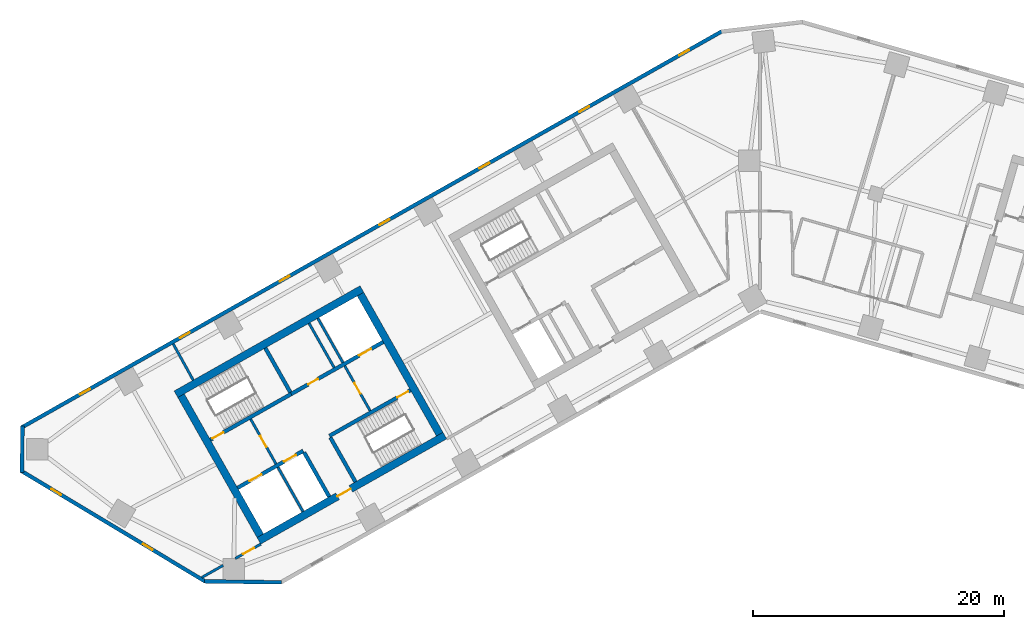
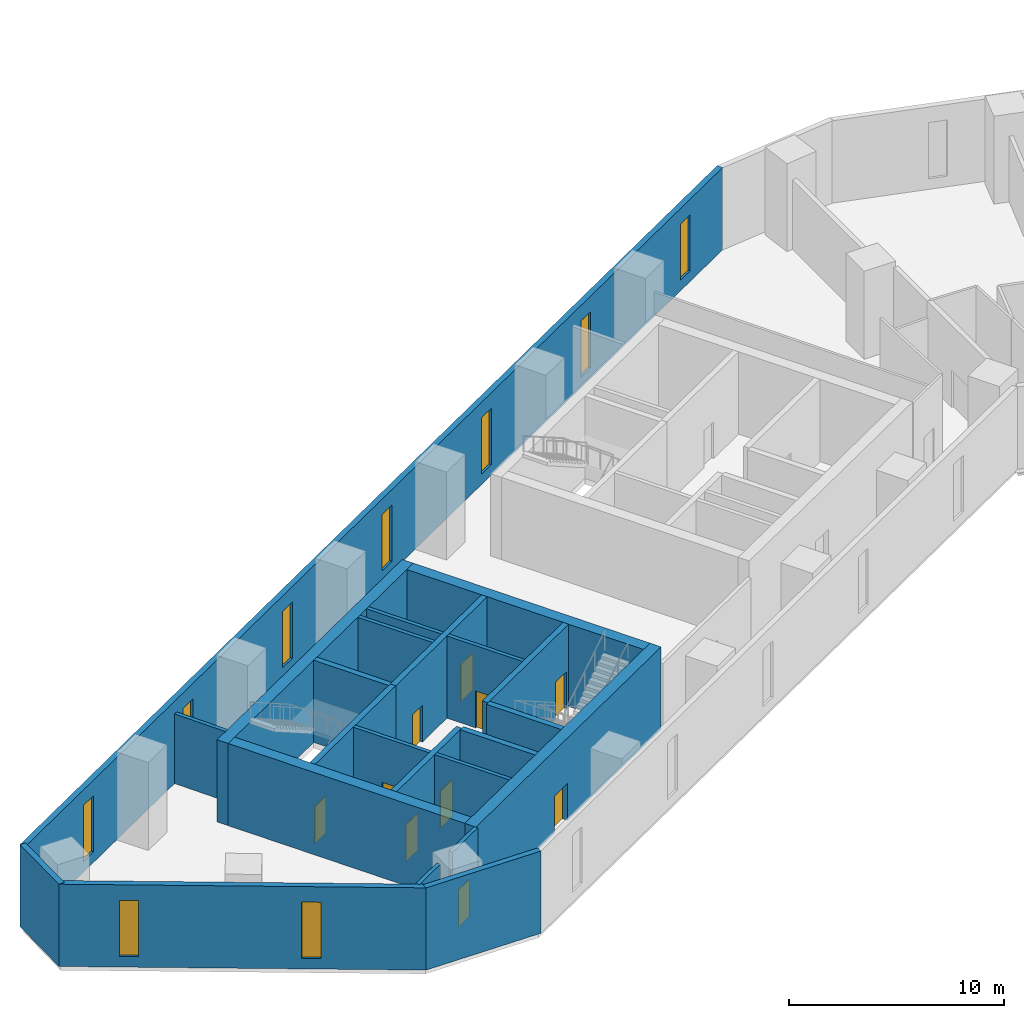
# One storey, part 3 of 10: 23 walls, 10 doors, 9 windows, 19 openings.
"""IFC4 building model written with IfcOpenShell, lengths in metres."""

from ifc_helpers import new_model, si_unit, direction, frame, frame_2d, origin, place, context, subcontext, project, spatial, rectangle, extrude, material, layer, layer_set, type_object, element, fill, save


model = new_model("IFC4")

# Units and contexts
model_context = context("Model", 3, precision=1e-05, world=origin(), true_north=direction((0.0, 1.0)))
body_context = subcontext(model_context, "Body", "Model", "MODEL_VIEW")
ifc_project = project(units=[si_unit("LENGTHUNIT", "METRE"), si_unit("AREAUNIT", "SQUARE_METRE"), si_unit("VOLUMEUNIT", "CUBIC_METRE"), si_unit("PLANEANGLEUNIT", "RADIAN"), si_unit("MASSUNIT", "GRAM", prefix="KILO")], contexts=[model_context])

# Site, building, storey
site_placement = place(None, origin())
site = spatial("IfcSite", under=ifc_project, at=site_placement, CompositionType="ELEMENT")
building_placement = place(site_placement, origin())
building = spatial("IfcBuilding", under=site, at=building_placement, Name="Binnacle Exchange Tower", CompositionType="ELEMENT")
storey_placement = place(building_placement, frame((0.0, 0.0, 41.5)))
storey = spatial("IfcBuildingStorey", under=building, at=storey_placement, Name="L08", CompositionType="ELEMENT", Elevation=41.5)

# Wall, openings, doors
ifc_material_1 = material(Name="Concrete C70/85", Category="concrete")
ifc_layer_1 = layer(ifc_material_1, 0.300048828125)
ifc_layer_set_1 = layer_set([ifc_layer_1], Name="Core wall - front 300")
wall_type_1 = type_object("IfcWallType", Name="Core wall - front 300", PredefinedType="SOLIDWALL", material=ifc_layer_set_1)
wall_1_placement = place(storey_placement, frame((-41.555908203125, 33.9609375, 0.0), z_axis=(0.0, 0.0, 1.0), x_axis=(0.870343731308, 0.492444706919, 0.0)))
wall_1 = element("IfcWall", 1, at=wall_1_placement, inside=storey, type_object=wall_type_1, Name="Core wall CRWA2", PredefinedType="SOLIDWALL", context=body_context, shape_type="SweptSolid", body=[
    extrude(rectangle(XDim=5.999755859375, YDim=0.300048828125, at=frame_2d((3.0, 0.0))), origin(), (0.0, 0.0, 1.0), 4.679931640625),
])
opening_1_placement = place(wall_1_placement, frame((1.099853515625, 0.0, 0.0)))
opening_1 = element("IfcOpeningElement", 2, at=opening_1_placement, cuts=wall_1, Name="Opening LD12", PredefinedType="OPENING", context=body_context, shape_type="SweptSolid", body=[
    extrude(rectangle(XDim=1.10009765625, YDim=2.10009765625, at=frame_2d((0.550048828125, 1.050048828125))), frame((0.0, 0.159912109375, 0.0), z_axis=(0.0, -1.0, 0.0), x_axis=(1.0, 0.0, 0.0)), (0.0, 0.0, 1.0), 0.320068359375),
])
opening_2_placement = place(wall_1_placement, frame((4.25, 0.0, 0.0)))
opening_2 = element("IfcOpeningElement", 3, at=opening_2_placement, cuts=wall_1, Name="Opening LD8", PredefinedType="OPENING", context=body_context, shape_type="SweptSolid", body=[
    extrude(rectangle(XDim=1.10009765625, YDim=2.10009765625, at=frame_2d((0.550048828125, 1.050048828125))), frame((0.0, 0.159912109375, 0.0), z_axis=(0.0, -1.0, 0.0), x_axis=(1.0, 0.0, 0.0)), (0.0, 0.0, 1.0), 0.320068359375),
])
ifc_material_2 = material(Name="Steel door leaf", Category="steel")
door_type_1 = type_object("IfcDoorType", Name="Fire door - lift landing 1100", OperationType="NOTDEFINED", PredefinedType="DOOR", material=ifc_material_2)
door_1_placement = place(opening_1_placement, origin())
door_1 = element("IfcDoor", 4, at=door_1_placement, inside=storey, type_object=door_type_1, Name="Landing door LD12 L08", OperationType="DOUBLE_DOOR_SLIDING", OverallHeight=2.10009765625, OverallWidth=1.10009765625, PredefinedType="DOOR", context=body_context, shape_type="SweptSolid", body=[
    extrude(rectangle(XDim=1.10009765625, YDim=2.10009765625, at=frame_2d((0.550048828125, 1.050048828125))), frame((0.0, 0.02490234375, 0.0), z_axis=(0.0, -1.0, 0.0), x_axis=(1.0, 0.0, 0.0)), (0.0, 0.0, 1.0), 0.050048828125),
])
fill(opening_1, door_1)
door_2_placement = place(opening_2_placement, origin())
door_2 = element("IfcDoor", 5, at=door_2_placement, inside=storey, type_object=door_type_1, Name="Landing door LD8 L08", OperationType="DOUBLE_DOOR_SLIDING", OverallHeight=2.10009765625, OverallWidth=1.10009765625, PredefinedType="DOOR", context=body_context, shape_type="SweptSolid", body=[
    extrude(rectangle(XDim=1.10009765625, YDim=2.10009765625, at=frame_2d((0.550048828125, 1.050048828125))), frame((0.0, 0.02490234375, 0.0), z_axis=(0.0, -1.0, 0.0), x_axis=(1.0, 0.0, 0.0)), (0.0, 0.0, 1.0), 0.050048828125),
])
fill(opening_2, door_2)

wall_2_placement = place(storey_placement, frame((-37.281982421875, 41.4345703125, 0.0), z_axis=(0.0, 0.0, 1.0), x_axis=(0.870356516133, 0.492422110414, 0.0)))
wall_2 = element("IfcWall", 6, at=wall_2_placement, inside=storey, type_object=wall_type_1, Name="Core wall CRWA5", PredefinedType="SOLIDWALL", context=body_context, shape_type="SweptSolid", body=[
    extrude(rectangle(XDim=8.399658203125, YDim=0.300048828125, at=frame_2d((4.19970703125, 0.0))), origin(), (0.0, 0.0, 1.0), 4.679931640625),
])
opening_3_placement = place(wall_2_placement, frame((6.199951171875, 0.0, 0.0)))
opening_3 = element("IfcOpeningElement", 7, at=opening_3_placement, cuts=wall_2, Name="Opening LD13", PredefinedType="OPENING", context=body_context, shape_type="SweptSolid", body=[
    extrude(rectangle(XDim=1.10009765625, YDim=2.10009765625, at=frame_2d((0.550048828125, 1.050048828125))), frame((0.0, 0.159912109375, 0.0), z_axis=(0.0, -1.0, 0.0), x_axis=(1.0, 0.0, 0.0)), (0.0, 0.0, 1.0), 0.320068359375),
])
opening_4_placement = place(wall_2_placement, frame((1.550048828125, 0.0, 0.0)))
opening_4 = element("IfcOpeningElement", 8, at=opening_4_placement, cuts=wall_2, Name="Opening DA10", PredefinedType="OPENING", context=body_context, shape_type="SweptSolid", body=[
    extrude(rectangle(XDim=0.89990234375, YDim=2.10009765625, at=frame_2d((0.449951171875, 1.050048828125))), frame((0.0, 0.159912109375, 0.0), z_axis=(0.0, -1.0, 0.0), x_axis=(1.0, 0.0, 0.0)), (0.0, 0.0, 1.0), 0.320068359375),
])
door_3_placement = place(opening_3_placement, origin())
door_3 = element("IfcDoor", 9, at=door_3_placement, inside=storey, type_object=door_type_1, Name="Landing door LD13 L08", OperationType="DOUBLE_DOOR_SLIDING", OverallHeight=2.10009765625, OverallWidth=1.10009765625, PredefinedType="DOOR", context=body_context, shape_type="SweptSolid", body=[
    extrude(rectangle(XDim=1.10009765625, YDim=2.10009765625, at=frame_2d((0.550048828125, 1.050048828125))), frame((0.0, 0.02490234375, 0.0), z_axis=(0.0, -1.0, 0.0), x_axis=(1.0, 0.0, 0.0)), (0.0, 0.0, 1.0), 0.050048828125),
])
fill(opening_3, door_3)
door_type_2 = type_object("IfcDoorType", Name="Fire door 900", OperationType="NOTDEFINED", PredefinedType="DOOR", material=ifc_material_2)
door_4_placement = place(opening_4_placement, origin())
door_4 = element("IfcDoor", 10, at=door_4_placement, inside=storey, type_object=door_type_2, Name="Core room door PANTRY", OperationType="SINGLE_SWING_LEFT", OverallHeight=2.10009765625, OverallWidth=0.89990234375, PredefinedType="DOOR", context=body_context, shape_type="SweptSolid", body=[
    extrude(rectangle(XDim=0.89990234375, YDim=2.10009765625, at=frame_2d((0.449951171875, 1.050048828125))), frame((0.0, 0.02490234375, 0.0), z_axis=(0.0, -1.0, 0.0), x_axis=(1.0, 0.0, 0.0)), (0.0, 0.0, 1.0), 0.050048828125),
])
fill(opening_4, door_4)

# Wall
wall_3_placement = place(storey_placement, frame((-36.260009765625, 36.784912109375, 0.0), z_axis=(0.0, 0.0, 1.0), x_axis=(0.492440575896, -0.870346068648, 0.0)))
element("IfcWall", 11, at=wall_3_placement, inside=storey, type_object=wall_type_1, Name="Core wall CRWA13", PredefinedType="SOLIDWALL", context=body_context, shape_type="SweptSolid", body=[
    extrude(rectangle(XDim=4.050048828125, YDim=0.300048828125, at=frame_2d((2.02490234375, 0.0))), origin(), (0.0, 0.0, 1.0), 4.679931640625),
])

# Wall, opening, door
ifc_layer_2 = layer(ifc_material_1, 0.60009765625)
ifc_layer_set_2 = layer_set([ifc_layer_2], Name="Core wall - outer 600")
wall_type_2 = type_object("IfcWallType", Name="Core wall - outer 600", PredefinedType="SOLIDWALL", material=ifc_layer_set_2)
wall_4_placement = place(storey_placement, frame((-39.8623046875, 29.748779296875, 0.0), z_axis=(0.0, 0.0, 1.0), x_axis=(0.870350116061, 0.492433422375, 0.0)))
wall_4 = element("IfcWall", 12, at=wall_4_placement, inside=storey, type_object=wall_type_2, Name="Core wall CRWA1", PredefinedType="SOLIDWALL", context=body_context, shape_type="SweptSolid", body=[
    extrude(rectangle(XDim=17.0, YDim=0.60009765625, at=frame_2d((8.5, 0.0))), origin(), (0.0, 0.0, 1.0), 4.679931640625),
])
opening_5_placement = place(wall_4_placement, frame((7.199951171875, 0.0, 0.0)))
opening_5 = element("IfcOpeningElement", 13, at=opening_5_placement, cuts=wall_4, Name="Opening DA7", PredefinedType="OPENING", context=body_context, shape_type="SweptSolid", body=[
    extrude(rectangle(XDim=1.199951171875, YDim=2.10009765625, at=frame_2d((0.60009765625, 1.050048828125))), frame((0.0, 0.31005859375, 0.0), z_axis=(0.0, -1.0, 0.0), x_axis=(1.0, 0.0, 0.0)), (0.0, 0.0, 1.0), 0.6201171875),
])
door_type_3 = type_object("IfcDoorType", Name="Fire door 1200", OperationType="NOTDEFINED", PredefinedType="DOOR", material=ifc_material_2)
door_5_placement = place(opening_5_placement, frame((1.199951171875, 0.0, 0.0), z_axis=(0.0, 0.0, 1.0), x_axis=(-1.0, 0.0, 0.0)))
door_5 = element("IfcDoor", 14, at=door_5_placement, inside=storey, type_object=door_type_3, Name="Lift lobby entrance door core A", OperationType="SINGLE_SWING_RIGHT", OverallHeight=2.10009765625, OverallWidth=1.199951171875, PredefinedType="DOOR", context=body_context, shape_type="SweptSolid", body=[
    extrude(rectangle(XDim=1.199951171875, YDim=2.10009765625, at=frame_2d((0.60009765625, 1.050048828125))), frame((0.0, 0.02490234375, 0.0), z_axis=(0.0, -1.0, 0.0), x_axis=(1.0, 0.0, 0.0)), (0.0, 0.0, 1.0), 0.050048828125),
])
fill(opening_5, door_5)

# Walls
wall_5_placement = place(storey_placement, frame((-46.460693359375, 41.41162109375, 0.0), z_axis=(0.0, 0.0, 1.0), x_axis=(0.870350116061, 0.492433422375, 0.0)))
element("IfcWall", 15, at=wall_5_placement, inside=storey, type_object=wall_type_2, Name="Core wall CRWA6", PredefinedType="SOLIDWALL", context=body_context, shape_type="SweptSolid", body=[
    extrude(rectangle(XDim=17.0, YDim=0.60009765625, at=frame_2d((8.5, 0.0))), origin(), (0.0, 0.0, 1.0), 4.679931640625),
])
for number, where, z_axis, x_axis, name in (
    (16, (-46.052001953125, 41.29833984375, 0.0), (0.0, 0.0, 1.0), (0.492418598281, -0.870358503186, 0.0), "Core wall CRWA7"),
    (17, (-31.7783203125, 49.3740234375, 0.0), (0.0, 0.0, 1.0), (0.492433046652, -0.870350328641, 0.0), "Core wall CRWA22"),
):
    element("IfcWall", number, at=place(storey_placement, frame(where, z_axis=z_axis, x_axis=x_axis)), inside=storey, type_object=wall_type_2, Name=name, PredefinedType="SOLIDWALL", context=body_context, shape_type="SweptSolid", body=[
        extrude(rectangle(XDim=12.800048828125, YDim=0.60009765625, at=frame_2d((6.39990234375, 0.0))), origin(), (0.0, 0.0, 1.0), 4.679931640625),
    ])

# Wall, opening, door
ifc_layer_3 = layer(ifc_material_1, 0.300048828125)
ifc_layer_set_3 = layer_set([ifc_layer_3], Name="Core wall - stair 300")
wall_type_3 = type_object("IfcWallType", Name="Core wall - stair 300", PredefinedType="SOLIDWALL", material=ifc_layer_set_3)
wall_6_placement = place(storey_placement, frame((-34.2451171875, 38.097412109375, 0.0), z_axis=(0.0, 0.0, 1.0), x_axis=(0.870364910201, 0.492407273597, 0.0)))
wall_6 = element("IfcWall", 18, at=wall_6_placement, inside=storey, type_object=wall_type_3, Name="Core wall CRWA3", PredefinedType="SOLIDWALL", context=body_context, shape_type="SweptSolid", body=[
    extrude(rectangle(XDim=7.39990234375, YDim=0.300048828125, at=frame_2d((3.699951171875, 0.0))), origin(), (0.0, 0.0, 1.0), 4.679931640625),
])
opening_6_placement = place(wall_6_placement, frame((6.199951171875, 0.0, 0.0)))
opening_6 = element("IfcOpeningElement", 19, at=opening_6_placement, cuts=wall_6, Name="Opening DA2", PredefinedType="OPENING", context=body_context, shape_type="SweptSolid", body=[
    extrude(rectangle(XDim=1.0, YDim=2.10009765625, at=frame_2d((0.5, 1.050048828125))), frame((0.0, 0.159912109375, 0.0), z_axis=(0.0, -1.0, 0.0), x_axis=(1.0, 0.0, 0.0)), (0.0, 0.0, 1.0), 0.320068359375),
])
door_type_4 = type_object("IfcDoorType", Name="Fire door 1000", OperationType="NOTDEFINED", PredefinedType="DOOR", material=ifc_material_2)
door_6_placement = place(opening_6_placement, frame((1.0, 0.0, 0.0), z_axis=(0.0, 0.0, 1.0), x_axis=(-1.0, 0.0, 0.0)))
door_6 = element("IfcDoor", 20, at=door_6_placement, inside=storey, type_object=door_type_4, Name="Stair door ST-A2", OperationType="SINGLE_SWING_LEFT", OverallHeight=2.10009765625, OverallWidth=1.0, PredefinedType="DOOR", context=body_context, shape_type="SweptSolid", body=[
    extrude(rectangle(XDim=1.0, YDim=2.10009765625, at=frame_2d((0.5, 1.050048828125))), frame((0.0, 0.02490234375, 0.0), z_axis=(0.0, -1.0, 0.0), x_axis=(1.0, 0.0, 0.0)), (0.0, 0.0, 1.0), 0.050048828125),
])
fill(opening_6, door_6)

wall_7_placement = place(storey_placement, frame((-43.72265625, 37.79052734375, 0.0), z_axis=(0.0, 0.0, 1.0), x_axis=(0.87035077051, 0.49243226567, 0.0)))
wall_7 = element("IfcWall", 21, at=wall_7_placement, inside=storey, type_object=wall_type_3, Name="Core wall CRWA4", PredefinedType="SOLIDWALL", context=body_context, shape_type="SweptSolid", body=[
    extrude(rectangle(XDim=7.400146484375, YDim=0.300048828125, at=frame_2d((3.7001953125, 0.0))), origin(), (0.0, 0.0, 1.0), 4.679931640625),
])
opening_7_placement = place(wall_7_placement, frame((0.199951171875, 0.0, 0.0)))
opening_7 = element("IfcOpeningElement", 22, at=opening_7_placement, cuts=wall_7, Name="Opening DA1", PredefinedType="OPENING", context=body_context, shape_type="SweptSolid", body=[
    extrude(rectangle(XDim=1.0, YDim=2.10009765625, at=frame_2d((0.5, 1.050048828125))), frame((0.0, 0.159912109375, 0.0), z_axis=(0.0, -1.0, 0.0), x_axis=(1.0, 0.0, 0.0)), (0.0, 0.0, 1.0), 0.320068359375),
])
door_7_placement = place(opening_7_placement, origin())
door_7 = element("IfcDoor", 23, at=door_7_placement, inside=storey, type_object=door_type_4, Name="Stair door ST-A1", OperationType="SINGLE_SWING_LEFT", OverallHeight=2.10009765625, OverallWidth=1.0, PredefinedType="DOOR", context=body_context, shape_type="SweptSolid", body=[
    extrude(rectangle(XDim=1.0, YDim=2.10009765625, at=frame_2d((0.5, 1.050048828125))), frame((0.0, 0.02490234375, 0.0), z_axis=(0.0, -1.0, 0.0), x_axis=(1.0, 0.0, 0.0)), (0.0, 0.0, 1.0), 0.050048828125),
])
fill(opening_7, door_7)

# Walls
wall_8_placement = place(storey_placement, frame((-39.350341796875, 45.090087890625, 0.0), z_axis=(0.0, 0.0, 1.0), x_axis=(0.49241474071, -0.870360685654, 0.0)))
element("IfcWall", 24, at=wall_8_placement, inside=storey, type_object=wall_type_3, Name="Core wall CRWA14", PredefinedType="SOLIDWALL", context=body_context, shape_type="SweptSolid", body=[
    extrude(rectangle(XDim=4.05029296875, YDim=0.300048828125, at=frame_2d((2.025146484375, 0.0))), origin(), (0.0, 0.0, 1.0), 4.679931640625),
])
wall_9_placement = place(storey_placement, frame((-34.171142578125, 37.966796875, 0.0), z_axis=(0.0, 0.0, 1.0), x_axis=(0.492394910396, -0.870371904542, 0.0)))
element("IfcWall", 25, at=wall_9_placement, inside=storey, type_object=wall_type_3, Name="Core wall CRWA16", PredefinedType="SOLIDWALL", context=body_context, shape_type="SweptSolid", body=[
    extrude(rectangle(XDim=4.0498046875, YDim=0.300048828125, at=frame_2d((2.02490234375, 0.0))), origin(), (0.0, 0.0, 1.0), 4.679931640625),
])

# Wall, openings, windows
ifc_material_3 = material(Name="Bronze aluminium cladding", Category="aluminium")
ifc_layer_4 = layer(ifc_material_3, 0.300048828125)
ifc_layer_set_4 = layer_set([ifc_layer_4], Name="External wall - spandrel 300")
wall_type_4 = type_object("IfcWallType", Name="External wall - spandrel 300", PredefinedType="STANDARD", material=ifc_layer_set_4)
wall_10_placement = place(storey_placement, frame((-58.744873046875, 38.763671875, 0.0), z_axis=(0.0, 0.0, 1.0), x_axis=(0.870355811726, 0.492423355453, 0.0)))
wall_10 = element("IfcWall", 26, at=wall_10_placement, inside=storey, type_object=wall_type_4, Name="External wall EW-F03 L08", PredefinedType="STANDARD", context=body_context, shape_type="SweptSolid", body=[
    extrude(rectangle(XDim=64.025390625, YDim=0.300048828125, at=frame_2d((32.0126953125, 0.0))), origin(), (0.0, 0.0, 1.0), 4.679931640625),
])
opening_8_placement = place(wall_10_placement, frame((60.12158203125, 0.0, 0.60009765625)))
opening_8 = element("IfcOpeningElement", 27, at=opening_8_placement, cuts=wall_10, Name="Opening WS1", PredefinedType="OPENING", context=body_context, shape_type="SweptSolid", body=[
    extrude(rectangle(XDim=0.89990234375, YDim=3.199951171875, at=frame_2d((0.449951171875, 1.60009765625))), frame((0.0, 0.159912109375, 0.0), z_axis=(0.0, -1.0, 0.0), x_axis=(1.0, 0.0, 0.0)), (0.0, 0.0, 1.0), 0.320068359375),
])
opening_9_placement = place(wall_10_placement, frame((50.99169921875, 0.0, 0.60009765625)))
opening_9 = element("IfcOpeningElement", 28, at=opening_9_placement, cuts=wall_10, Name="Opening WS1", PredefinedType="OPENING", context=body_context, shape_type="SweptSolid", body=[
    extrude(rectangle(XDim=0.89990234375, YDim=3.199951171875, at=frame_2d((0.449951171875, 1.60009765625))), frame((0.0, 0.159912109375, 0.0), z_axis=(0.0, -1.0, 0.0), x_axis=(1.0, 0.0, 0.0)), (0.0, 0.0, 1.0), 0.320068359375),
])
opening_10_placement = place(wall_10_placement, frame((41.86181640625, 0.0, 0.60009765625)))
opening_10 = element("IfcOpeningElement", 29, at=opening_10_placement, cuts=wall_10, Name="Opening WS1", PredefinedType="OPENING", context=body_context, shape_type="SweptSolid", body=[
    extrude(rectangle(XDim=0.89990234375, YDim=3.199951171875, at=frame_2d((0.449951171875, 1.60009765625))), frame((0.0, 0.159912109375, 0.0), z_axis=(0.0, -1.0, 0.0), x_axis=(1.0, 0.0, 0.0)), (0.0, 0.0, 1.0), 0.320068359375),
])
opening_11_placement = place(wall_10_placement, frame((32.73193359375, 0.0, 0.60009765625)))
opening_11 = element("IfcOpeningElement", 30, at=opening_11_placement, cuts=wall_10, Name="Opening WS1", PredefinedType="OPENING", context=body_context, shape_type="SweptSolid", body=[
    extrude(rectangle(XDim=0.89990234375, YDim=3.199951171875, at=frame_2d((0.449951171875, 1.60009765625))), frame((0.0, 0.159912109375, 0.0), z_axis=(0.0, -1.0, 0.0), x_axis=(1.0, 0.0, 0.0)), (0.0, 0.0, 1.0), 0.320068359375),
])
opening_12_placement = place(wall_10_placement, frame((23.60205078125, 0.0, 0.60009765625)))
opening_12 = element("IfcOpeningElement", 31, at=opening_12_placement, cuts=wall_10, Name="Opening WS1", PredefinedType="OPENING", context=body_context, shape_type="SweptSolid", body=[
    extrude(rectangle(XDim=0.89990234375, YDim=3.199951171875, at=frame_2d((0.449951171875, 1.60009765625))), frame((0.0, 0.159912109375, 0.0), z_axis=(0.0, -1.0, 0.0), x_axis=(1.0, 0.0, 0.0)), (0.0, 0.0, 1.0), 0.320068359375),
])
opening_13_placement = place(wall_10_placement, frame((14.47216796875, 0.0, 0.60009765625)))
opening_13 = element("IfcOpeningElement", 32, at=opening_13_placement, cuts=wall_10, Name="Opening WS1", PredefinedType="OPENING", context=body_context, shape_type="SweptSolid", body=[
    extrude(rectangle(XDim=0.89990234375, YDim=3.199951171875, at=frame_2d((0.449951171875, 1.60009765625))), frame((0.0, 0.159912109375, 0.0), z_axis=(0.0, -1.0, 0.0), x_axis=(1.0, 0.0, 0.0)), (0.0, 0.0, 1.0), 0.320068359375),
])
opening_14_placement = place(wall_10_placement, frame((5.34228515625, 0.0, 0.60009765625)))
opening_14 = element("IfcOpeningElement", 33, at=opening_14_placement, cuts=wall_10, Name="Opening WS1", PredefinedType="OPENING", context=body_context, shape_type="SweptSolid", body=[
    extrude(rectangle(XDim=0.89990234375, YDim=3.199951171875, at=frame_2d((0.449951171875, 1.60009765625))), frame((0.0, 0.159912109375, 0.0), z_axis=(0.0, -1.0, 0.0), x_axis=(1.0, 0.0, 0.0)), (0.0, 0.0, 1.0), 0.320068359375),
])
ifc_material_4 = material(Name="Bronze anodised aluminium frame", Category="aluminium")
window_type = type_object("IfcWindowType", Name="WS1 WINDOW 900x3200", PartitioningType="SINGLE_PANEL", PredefinedType="WINDOW", material=ifc_material_4)
window_1_placement = place(opening_8_placement, origin())
window_1 = element("IfcWindow", 34, at=window_1_placement, inside=storey, type_object=window_type, Name="Window WS1 L08", OverallHeight=3.199951171875, OverallWidth=0.89990234375, PartitioningType="SINGLE_PANEL", PredefinedType="WINDOW", context=body_context, shape_type="SweptSolid", body=[
    extrude(rectangle(XDim=0.89990234375, YDim=3.199951171875, at=frame_2d((0.449951171875, 1.60009765625))), frame((0.0, 0.030029296875, 0.0), z_axis=(0.0, -1.0, 0.0), x_axis=(1.0, 0.0, 0.0)), (0.0, 0.0, 1.0), 0.06005859375),
])
fill(opening_8, window_1)
window_2_placement = place(opening_9_placement, origin())
window_2 = element("IfcWindow", 35, at=window_2_placement, inside=storey, type_object=window_type, Name="Window WS1 L08", OverallHeight=3.199951171875, OverallWidth=0.89990234375, PartitioningType="SINGLE_PANEL", PredefinedType="WINDOW", context=body_context, shape_type="SweptSolid", body=[
    extrude(rectangle(XDim=0.89990234375, YDim=3.199951171875, at=frame_2d((0.449951171875, 1.60009765625))), frame((0.0, 0.030029296875, 0.0), z_axis=(0.0, -1.0, 0.0), x_axis=(1.0, 0.0, 0.0)), (0.0, 0.0, 1.0), 0.06005859375),
])
fill(opening_9, window_2)
window_3_placement = place(opening_10_placement, origin())
window_3 = element("IfcWindow", 36, at=window_3_placement, inside=storey, type_object=window_type, Name="Window WS1 L08", OverallHeight=3.199951171875, OverallWidth=0.89990234375, PartitioningType="SINGLE_PANEL", PredefinedType="WINDOW", context=body_context, shape_type="SweptSolid", body=[
    extrude(rectangle(XDim=0.89990234375, YDim=3.199951171875, at=frame_2d((0.449951171875, 1.60009765625))), frame((0.0, 0.030029296875, 0.0), z_axis=(0.0, -1.0, 0.0), x_axis=(1.0, 0.0, 0.0)), (0.0, 0.0, 1.0), 0.06005859375),
])
fill(opening_10, window_3)
window_4_placement = place(opening_11_placement, origin())
window_4 = element("IfcWindow", 37, at=window_4_placement, inside=storey, type_object=window_type, Name="Window WS1 L08", OverallHeight=3.199951171875, OverallWidth=0.89990234375, PartitioningType="SINGLE_PANEL", PredefinedType="WINDOW", context=body_context, shape_type="SweptSolid", body=[
    extrude(rectangle(XDim=0.89990234375, YDim=3.199951171875, at=frame_2d((0.449951171875, 1.60009765625))), frame((0.0, 0.030029296875, 0.0), z_axis=(0.0, -1.0, 0.0), x_axis=(1.0, 0.0, 0.0)), (0.0, 0.0, 1.0), 0.06005859375),
])
fill(opening_11, window_4)
window_5_placement = place(opening_12_placement, origin())
window_5 = element("IfcWindow", 38, at=window_5_placement, inside=storey, type_object=window_type, Name="Window WS1 L08", OverallHeight=3.199951171875, OverallWidth=0.89990234375, PartitioningType="SINGLE_PANEL", PredefinedType="WINDOW", context=body_context, shape_type="SweptSolid", body=[
    extrude(rectangle(XDim=0.89990234375, YDim=3.199951171875, at=frame_2d((0.449951171875, 1.60009765625))), frame((0.0, 0.030029296875, 0.0), z_axis=(0.0, -1.0, 0.0), x_axis=(1.0, 0.0, 0.0)), (0.0, 0.0, 1.0), 0.06005859375),
])
fill(opening_12, window_5)
window_6_placement = place(opening_13_placement, origin())
window_6 = element("IfcWindow", 39, at=window_6_placement, inside=storey, type_object=window_type, Name="Window WS1 L08", OverallHeight=3.199951171875, OverallWidth=0.89990234375, PartitioningType="SINGLE_PANEL", PredefinedType="WINDOW", context=body_context, shape_type="SweptSolid", body=[
    extrude(rectangle(XDim=0.89990234375, YDim=3.199951171875, at=frame_2d((0.449951171875, 1.60009765625))), frame((0.0, 0.030029296875, 0.0), z_axis=(0.0, -1.0, 0.0), x_axis=(1.0, 0.0, 0.0)), (0.0, 0.0, 1.0), 0.06005859375),
])
fill(opening_13, window_6)
window_7_placement = place(opening_14_placement, origin())
window_7 = element("IfcWindow", 40, at=window_7_placement, inside=storey, type_object=window_type, Name="Window WS1 L08", OverallHeight=3.199951171875, OverallWidth=0.89990234375, PartitioningType="SINGLE_PANEL", PredefinedType="WINDOW", context=body_context, shape_type="SweptSolid", body=[
    extrude(rectangle(XDim=0.89990234375, YDim=3.199951171875, at=frame_2d((0.449951171875, 1.60009765625))), frame((0.0, 0.030029296875, 0.0), z_axis=(0.0, -1.0, 0.0), x_axis=(1.0, 0.0, 0.0)), (0.0, 0.0, 1.0), 0.06005859375),
])
fill(opening_14, window_7)

# Wall
wall_11_placement = place(storey_placement, frame((-58.717041015625, 35.19384765625, 0.0), z_axis=(0.0, 0.0, 1.0), x_axis=(0.013069053407, 0.999914596275, 0.0)))
element("IfcWall", 41, at=wall_11_placement, inside=storey, type_object=wall_type_4, Name="External wall EW-F04 L08", PredefinedType="STANDARD", context=body_context, shape_type="SweptSolid", body=[
    extrude(rectangle(XDim=3.69873046875, YDim=0.300048828125, at=frame_2d((1.849365234375, 0.0))), origin(), (0.0, 0.0, 1.0), 4.679931640625),
])

# Wall, openings, windows
wall_12_placement = place(storey_placement, frame((-44.109375, 26.503662109375, 0.0), z_axis=(0.0, 0.0, 1.0), x_axis=(-0.857169502585, 0.515034410344, 0.0)))
wall_12 = element("IfcWall", 42, at=wall_12_placement, inside=storey, type_object=wall_type_4, Name="External wall EW-F05 L08", PredefinedType="STANDARD", context=body_context, shape_type="SweptSolid", body=[
    extrude(rectangle(XDim=17.126708984375, YDim=0.300048828125, at=frame_2d((8.5634765625, 0.0))), origin(), (0.0, 0.0, 1.0), 4.679931640625),
])
opening_15_placement = place(wall_12_placement, frame((13.403076171875, 0.0, 0.60009765625)))
opening_15 = element("IfcOpeningElement", 43, at=opening_15_placement, cuts=wall_12, Name="Opening WS1", PredefinedType="OPENING", context=body_context, shape_type="SweptSolid", body=[
    extrude(rectangle(XDim=0.89990234375, YDim=3.199951171875, at=frame_2d((0.449951171875, 1.60009765625))), frame((0.0, 0.159912109375, 0.0), z_axis=(0.0, -1.0, 0.0), x_axis=(1.0, 0.0, 0.0)), (0.0, 0.0, 1.0), 0.320068359375),
])
opening_16_placement = place(wall_12_placement, frame((4.903076171875, 0.0, 0.60009765625)))
opening_16 = element("IfcOpeningElement", 44, at=opening_16_placement, cuts=wall_12, Name="Opening WS1", PredefinedType="OPENING", context=body_context, shape_type="SweptSolid", body=[
    extrude(rectangle(XDim=0.89990234375, YDim=3.199951171875, at=frame_2d((0.449951171875, 1.60009765625))), frame((0.0, 0.159912109375, 0.0), z_axis=(0.0, -1.0, 0.0), x_axis=(1.0, 0.0, 0.0)), (0.0, 0.0, 1.0), 0.320068359375),
])
window_8_placement = place(opening_15_placement, origin())
window_8 = element("IfcWindow", 45, at=window_8_placement, inside=storey, type_object=window_type, Name="Window WS1 L08", OverallHeight=3.199951171875, OverallWidth=0.89990234375, PartitioningType="SINGLE_PANEL", PredefinedType="WINDOW", context=body_context, shape_type="SweptSolid", body=[
    extrude(rectangle(XDim=0.89990234375, YDim=3.199951171875, at=frame_2d((0.449951171875, 1.60009765625))), frame((0.0, 0.030029296875, 0.0), z_axis=(0.0, -1.0, 0.0), x_axis=(1.0, 0.0, 0.0)), (0.0, 0.0, 1.0), 0.06005859375),
])
fill(opening_15, window_8)
window_9_placement = place(opening_16_placement, origin())
window_9 = element("IfcWindow", 46, at=window_9_placement, inside=storey, type_object=window_type, Name="Window WS1 L08", OverallHeight=3.199951171875, OverallWidth=0.89990234375, PartitioningType="SINGLE_PANEL", PredefinedType="WINDOW", context=body_context, shape_type="SweptSolid", body=[
    extrude(rectangle(XDim=0.89990234375, YDim=3.199951171875, at=frame_2d((0.449951171875, 1.60009765625))), frame((0.0, 0.030029296875, 0.0), z_axis=(0.0, -1.0, 0.0), x_axis=(1.0, 0.0, 0.0)), (0.0, 0.0, 1.0), 0.06005859375),
])
fill(opening_16, window_9)

# Walls
wall_13_placement = place(storey_placement, frame((-38.057373046875, 26.44482421875, 0.0), z_axis=(0.0, 0.0, 1.0), x_axis=(-0.999914086342, 0.013108010296, 0.0)))
element("IfcWall", 47, at=wall_13_placement, inside=storey, type_object=wall_type_4, Name="External wall EW-F06 L08", PredefinedType="STANDARD", context=body_context, shape_type="SweptSolid", body=[
    extrude(rectangle(XDim=6.127685546875, YDim=0.300048828125, at=frame_2d((3.06396484375, 0.0))), origin(), (0.0, 0.0, 1.0), 4.679931640625),
])
ifc_material_5 = material(Name="Masonry block wall", Category="masonry")
ifc_layer_5 = layer(ifc_material_5, 0.199951171875)
ifc_layer_set_5 = layer_set([ifc_layer_5], Name="Fire wall - block 200")
wall_type_5 = type_object("IfcWallType", Name="Fire wall - block 200", PredefinedType="PARTITIONING", material=ifc_layer_set_5)
wall_14_placement = place(storey_placement, frame((-46.677978515625, 45.4189453125, 0.0), z_axis=(0.0, 0.0, 1.0), x_axis=(0.483275206546, -0.875468488718, 0.0)))
element("IfcWall", 48, at=wall_14_placement, inside=storey, type_object=wall_type_5, Name="Partition W01", PredefinedType="PARTITIONING", context=body_context, shape_type="SweptSolid", body=[
    extrude(rectangle(XDim=3.294189453125, YDim=0.199951171875, at=frame_2d((1.64697265625, 0.0))), origin(), (0.0, 0.0, 1.0), 3.9599609375),
])
wall_15_placement = place(storey_placement, frame((-44.385986328125, 26.844970703125, 0.0), z_axis=(0.0, 0.0, 1.0), x_axis=(0.870226201187, 0.492652371118, 0.0)))
element("IfcWall", 49, at=wall_15_placement, inside=storey, type_object=wall_type_5, Name="Partition W02", PredefinedType="PARTITIONING", context=body_context, shape_type="SweptSolid", body=[
    extrude(rectangle(XDim=1.9326171875, YDim=0.199951171875, at=frame_2d((0.96630859375, 0.0))), origin(), (0.0, 0.0, 1.0), 4.679931640625),
])

# Wall, opening, door
wall_16_placement = place(storey_placement, frame((-41.738037109375, 28.343017578125, 0.0), z_axis=(0.0, 0.0, 1.0), x_axis=(0.870265350095, 0.492583211676, 0.0)))
wall_16 = element("IfcWall", 50, at=wall_16_placement, inside=storey, type_object=wall_type_5, Name="Partition W03", PredefinedType="PARTITIONING", context=body_context, shape_type="SweptSolid", body=[
    extrude(rectangle(XDim=2.324462890625, YDim=0.199951171875, at=frame_2d((1.162109375, 0.0))), origin(), (0.0, 0.0, 1.0), 4.679931640625),
])
opening_17_placement = place(wall_16_placement, frame((0.699951171875, 0.0, 0.0)))
opening_17 = element("IfcOpeningElement", 51, at=opening_17_placement, cuts=wall_16, Name="Opening DL08-01", PredefinedType="OPENING", context=body_context, shape_type="SweptSolid", body=[
    extrude(rectangle(XDim=1.0, YDim=2.10009765625, at=frame_2d((0.5, 1.050048828125))), frame((0.0, 0.10986328125, 0.0), z_axis=(0.0, -1.0, 0.0), x_axis=(1.0, 0.0, 0.0)), (0.0, 0.0, 1.0), 0.219970703125),
])
door_8_placement = place(opening_17_placement, origin())
door_8 = element("IfcDoor", 52, at=door_8_placement, inside=storey, type_object=door_type_4, Name="Door DL08-01", OperationType="SINGLE_SWING_RIGHT", OverallHeight=2.10009765625, OverallWidth=1.0, PredefinedType="DOOR", context=body_context, shape_type="SweptSolid", body=[
    extrude(rectangle(XDim=1.0, YDim=2.10009765625, at=frame_2d((0.5, 1.050048828125))), frame((0.0, 0.02490234375, 0.0), z_axis=(0.0, -1.0, 0.0), x_axis=(1.0, 0.0, 0.0)), (0.0, 0.0, 1.0), 0.050048828125),
])
fill(opening_17, door_8)

ifc_layer_6 = layer(ifc_material_5, 0.199951171875)
ifc_layer_set_6 = layer_set([ifc_layer_6], Name="Fire wall - vestibule 200")
wall_type_6 = type_object("IfcWallType", Name="Fire wall - vestibule 200", PredefinedType="PARTITIONING", material=ifc_layer_set_6)
wall_17_placement = place(storey_placement, frame((-40.515625, 39.4326171875, 0.0), z_axis=(0.0, 0.0, 1.0), x_axis=(0.492453559952, -0.87033872216, 0.0)))
wall_17 = element("IfcWall", 53, at=wall_17_placement, inside=storey, type_object=wall_type_6, Name="Core wall CRWA10", PredefinedType="PARTITIONING", context=body_context, shape_type="SweptSolid", body=[
    extrude(rectangle(XDim=4.099853515625, YDim=0.199951171875, at=frame_2d((2.0498046875, 0.0))), origin(), (0.0, 0.0, 1.0), 4.679931640625),
])
opening_18_placement = place(wall_17_placement, frame((1.550048828125, 0.0, 0.0)))
opening_18 = element("IfcOpeningElement", 54, at=opening_18_placement, cuts=wall_17, Name="Opening DA3", PredefinedType="OPENING", context=body_context, shape_type="SweptSolid", body=[
    extrude(rectangle(XDim=1.0, YDim=2.10009765625, at=frame_2d((0.5, 1.050048828125))), frame((0.0, 0.10986328125, 0.0), z_axis=(0.0, -1.0, 0.0), x_axis=(1.0, 0.0, 0.0)), (0.0, 0.0, 1.0), 0.219970703125),
])
door_9_placement = place(opening_18_placement, frame((1.0, 0.0, 0.0), z_axis=(0.0, 0.0, 1.0), x_axis=(-1.0, 0.0, 0.0)))
door_9 = element("IfcDoor", 55, at=door_9_placement, inside=storey, type_object=door_type_4, Name="Vestibule door VEST-W", OperationType="SINGLE_SWING_LEFT", OverallHeight=2.10009765625, OverallWidth=1.0, PredefinedType="DOOR", context=body_context, shape_type="SweptSolid", body=[
    extrude(rectangle(XDim=1.0, YDim=2.10009765625, at=frame_2d((0.5, 1.050048828125))), frame((0.0, 0.02490234375, 0.0), z_axis=(0.0, -1.0, 0.0), x_axis=(1.0, 0.0, 0.0)), (0.0, 0.0, 1.0), 0.050048828125),
])
fill(opening_18, door_9)

wall_18_placement = place(storey_placement, frame((-33.030517578125, 43.66748046875, 0.0), z_axis=(0.0, 0.0, 1.0), x_axis=(0.492408451753, -0.87036424366, 0.0)))
wall_18 = element("IfcWall", 56, at=wall_18_placement, inside=storey, type_object=wall_type_6, Name="Core wall CRWA19", PredefinedType="PARTITIONING", context=body_context, shape_type="SweptSolid", body=[
    extrude(rectangle(XDim=4.099853515625, YDim=0.199951171875, at=frame_2d((2.0498046875, 0.0))), origin(), (0.0, 0.0, 1.0), 4.679931640625),
])
opening_19_placement = place(wall_18_placement, frame((1.550048828125, 0.0, 0.0)))
opening_19 = element("IfcOpeningElement", 57, at=opening_19_placement, cuts=wall_18, Name="Opening DA4", PredefinedType="OPENING", context=body_context, shape_type="SweptSolid", body=[
    extrude(rectangle(XDim=1.0, YDim=2.10009765625, at=frame_2d((0.5, 1.050048828125))), frame((0.0, 0.10986328125, 0.0), z_axis=(0.0, -1.0, 0.0), x_axis=(1.0, 0.0, 0.0)), (0.0, 0.0, 1.0), 0.219970703125),
])
door_10_placement = place(opening_19_placement, origin())
door_10 = element("IfcDoor", 58, at=door_10_placement, inside=storey, type_object=door_type_4, Name="Vestibule door VEST-E", OperationType="SINGLE_SWING_RIGHT", OverallHeight=2.10009765625, OverallWidth=1.0, PredefinedType="DOOR", context=body_context, shape_type="SweptSolid", body=[
    extrude(rectangle(XDim=1.0, YDim=2.10009765625, at=frame_2d((0.5, 1.050048828125))), frame((0.0, 0.02490234375, 0.0), z_axis=(0.0, -1.0, 0.0), x_axis=(1.0, 0.0, 0.0)), (0.0, 0.0, 1.0), 0.050048828125),
])
fill(opening_19, door_10)

# Walls
ifc_layer_7 = layer(ifc_material_5, 0.199951171875)
ifc_layer_set_7 = layer_set([ifc_layer_7], Name="Riser wall 200")
wall_type_7 = type_object("IfcWallType", Name="Riser wall 200", PredefinedType="SOLIDWALL", material=ifc_layer_set_7)
wall_19_placement = place(storey_placement, frame((-35.868896484375, 47.059814453125, 0.0), z_axis=(0.0, 0.0, 1.0), x_axis=(0.49241474071, -0.870360685654, 0.0)))
element("IfcWall", 59, at=wall_19_placement, inside=storey, type_object=wall_type_7, Name="Core wall CRWA18", PredefinedType="SOLIDWALL", context=body_context, shape_type="SweptSolid", body=[
    extrude(rectangle(XDim=4.05029296875, YDim=0.199951171875, at=frame_2d((2.025146484375, 0.0))), origin(), (0.0, 0.0, 1.0), 4.679931640625),
])
wall_20_placement = place(storey_placement, frame((-35.172607421875, 47.45361328125, 0.0), z_axis=(0.0, 0.0, 1.0), x_axis=(0.492440575896, -0.870346068648, 0.0)))
element("IfcWall", 60, at=wall_20_placement, inside=storey, type_object=wall_type_7, Name="Core wall CRWA20", PredefinedType="SOLIDWALL", context=body_context, shape_type="SweptSolid", body=[
    extrude(rectangle(XDim=4.050048828125, YDim=0.199951171875, at=frame_2d((2.02490234375, 0.0))), origin(), (0.0, 0.0, 1.0), 4.679931640625),
])
ifc_layer_8 = layer(ifc_material_5, 0.199951171875)
ifc_layer_set_8 = layer_set([ifc_layer_8], Name="Shaft wall 200")
wall_type_8 = type_object("IfcWallType", Name="Shaft wall 200", PredefinedType="SOLIDWALL", material=ifc_layer_set_8)
wall_21_placement = place(storey_placement, frame((-38.348876953125, 35.603271484375, 0.0), z_axis=(0.0, 0.0, 1.0), x_axis=(0.49241474071, -0.870360685654, 0.0)))
element("IfcWall", 61, at=wall_21_placement, inside=storey, type_object=wall_type_8, Name="Core wall CRWA9", PredefinedType="SOLIDWALL", context=body_context, shape_type="SweptSolid", body=[
    extrude(rectangle(XDim=4.05029296875, YDim=0.199951171875, at=frame_2d((2.025146484375, 0.0))), origin(), (0.0, 0.0, 1.0), 4.679931640625),
])

save(model, "model.ifc")
